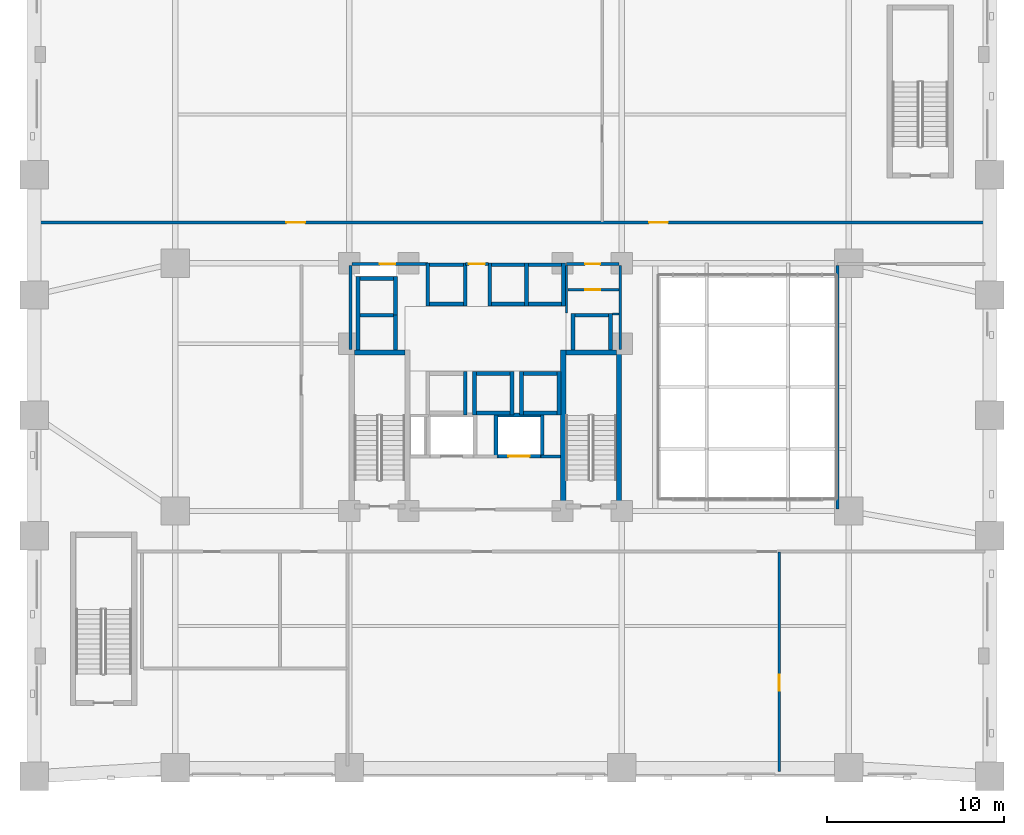
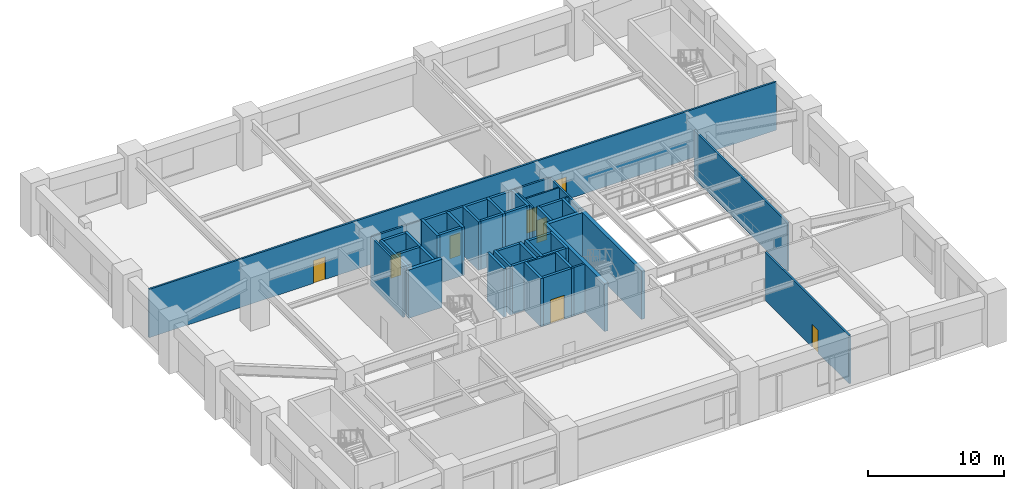
# One storey, part 5 of 11: 48 walls, 8 doors, 8 openings.
"""IFC4 building model written with IfcOpenShell, lengths in metres."""

from ifc_helpers import new_model, si_unit, derived_unit, direction, frame, frame_2d, origin, place, context, subcontext, project, spatial, rectangle, extrude, material, layer, layer_set, type_object, element, fill, save


model = new_model("IFC4")

# Units and contexts
model_context = context("Model", 3, precision=1e-05, world=origin(), true_north=direction((0.0, 1.0)))
body_context = subcontext(model_context, "Body", "Model", "MODEL_VIEW")
ifc_project = project(units=[si_unit("LENGTHUNIT", "METRE"), si_unit("AREAUNIT", "SQUARE_METRE"), si_unit("VOLUMEUNIT", "CUBIC_METRE"), si_unit("PLANEANGLEUNIT", "RADIAN"), si_unit("MASSUNIT", "GRAM", prefix="KILO"), derived_unit("THERMALTRANSMITTANCEUNIT", [(si_unit("MASSUNIT", "GRAM", prefix="KILO"), 1), (si_unit("TIMEUNIT", "SECOND"), -3), (si_unit("THERMODYNAMICTEMPERATUREUNIT", "KELVIN"), -1)])], contexts=[model_context])

# Site, building, storey
site_placement = place(None, origin())
site = spatial("IfcSite", under=ifc_project, at=site_placement, CompositionType="ELEMENT")
building_placement = place(site_placement, origin())
building = spatial("IfcBuilding", under=site, at=building_placement, Name="Korrvale Station Residences", CompositionType="ELEMENT")
storey_placement = place(building_placement, frame((0.0, 0.0, 16.0)))
storey = spatial("IfcBuildingStorey", under=building, at=storey_placement, Name="L03", CompositionType="ELEMENT", Elevation=16.0)

# Walls
ifc_material_1 = material(Name="Concrete C70/85", Category="concrete")
ifc_layer_1 = layer(ifc_material_1, 0.300048828125, Name="Concrete C70/85")
ifc_layer_set_1 = layer_set([ifc_layer_1], Name="Concrete C70/85")
wall_type_1 = type_object("IfcWallType", Name="WAL-CORE-300-C70", PredefinedType="SHEAR", material=ifc_layer_set_1)
wall_1_placement = place(storey_placement, frame((18.10009765625, 23.949951171875, 0.0), z_axis=(0.0, 0.0, 1.0), x_axis=(1.0, 0.0, 0.0)))
element("IfcWall", 1, at=wall_1_placement, inside=storey, type_object=wall_type_1, Name="L03 ST-1 Core Shear Wall North", PredefinedType="SHEAR", context=body_context, shape_type="SweptSolid", body=[
    extrude(rectangle(XDim=2.849853515625, YDim=0.300048828125, at=frame_2d((1.4248046875, 0.0))), origin(), (0.0, 0.0, 1.0), 4.35009765625),
])
for number, where, z_axis, x_axis, name in (
    (2, (29.89990234375, 15.10009765625, 0.0), (0.0, 0.0, 1.0), (0.0, 1.0, 0.0), "L03 ST-2 Core Shear Wall West"),
    (3, (33.050048828125, 15.10009765625, 0.0), (0.0, 0.0, 1.0), (0.0, 1.0, 0.0), "L03 ST-2 Core Shear Wall East"),
):
    element("IfcWall", number, at=place(storey_placement, frame(where, z_axis=z_axis, x_axis=x_axis)), inside=storey, type_object=wall_type_1, Name=name, PredefinedType="SHEAR", context=body_context, shape_type="SweptSolid", body=[
        extrude(rectangle(XDim=9.0, YDim=0.300048828125, at=frame_2d((4.5, 0.0))), origin(), (0.0, 0.0, 1.0), 4.35009765625),
    ])
wall_2_placement = place(storey_placement, frame((30.050048828125, 23.949951171875, 0.0), z_axis=(0.0, 0.0, 1.0), x_axis=(1.0, 0.0, 0.0)))
element("IfcWall", 4, at=wall_2_placement, inside=storey, type_object=wall_type_1, Name="L03 ST-2 Core Shear Wall North", PredefinedType="SHEAR", context=body_context, shape_type="SweptSolid", body=[
    extrude(rectangle(XDim=2.849853515625, YDim=0.300048828125, at=frame_2d((1.4248046875, 0.0))), origin(), (0.0, 0.0, 1.0), 4.35009765625),
])
ifc_material_2 = material(Name="Acoustic steel-stud gypsum board partition", Category="steel")
ifc_layer_2 = layer(ifc_material_2, 0.1201171875, Name="Acoustic steel-stud gypsum board partition")
ifc_layer_set_2 = layer_set([ifc_layer_2], Name="Acoustic steel-stud gypsum board partition")
wall_type_2 = type_object("IfcWallType", Name="WAL-PART-125", PredefinedType="PARTITIONING", material=ifc_layer_set_2)
wall_3_placement = place(storey_placement, frame((30.080078125, 26.179931640625, 0.0), z_axis=(0.0, 0.0, 1.0), x_axis=(0.0, 1.0, 0.0)))
element("IfcWall", 5, at=wall_3_placement, inside=storey, type_object=wall_type_2, Name="L03 Core Partition CW-CS-W", PredefinedType="PARTITIONING", context=body_context, shape_type="SweptSolid", body=[
    extrude(rectangle(XDim=2.68017578125, YDim=0.1201171875, at=frame_2d((1.340087890625, 0.0))), origin(), (0.0, 0.0, 1.0), 4.35009765625),
])
wall_4_placement = place(storey_placement, frame((32.679931640625, 26.1201171875, 0.0), z_axis=(0.0, 0.0, 1.0), x_axis=(1.0, 0.0, 0.0)))
element("IfcWall", 6, at=wall_4_placement, inside=storey, type_object=wall_type_2, Name="L03 Core Partition CW-CS-S", PredefinedType="PARTITIONING", context=body_context, shape_type="SweptSolid", body=[
    extrude(rectangle(XDim=0.380126953125, YDim=0.1201171875, at=frame_2d((0.18994140625, 0.0))), origin(), (0.0, 0.0, 1.0), 4.35009765625),
])

# Wall, opening, door
wall_5_placement = place(storey_placement, frame((30.159912109375, 27.5, 0.0), z_axis=(0.0, 0.0, 1.0), x_axis=(1.0, 0.0, 0.0)))
wall_5 = element("IfcWall", 7, at=wall_5_placement, inside=storey, type_object=wall_type_2, Name="L03 Core Partition CW-CS-H", PredefinedType="PARTITIONING", context=body_context, shape_type="SweptSolid", body=[
    extrude(rectangle(XDim=2.880126953125, YDim=0.1201171875, at=frame_2d((1.43994140625, 0.0))), origin(), (0.0, 0.0, 1.0), 4.35009765625),
])
opening_1_placement = place(wall_5_placement, frame((0.969970703125, 0.0, 0.0)))
opening_1 = element("IfcOpeningElement", 8, at=opening_1_placement, cuts=wall_5, Name="Opening DB-860", PredefinedType="OPENING", context=body_context, shape_type="SweptSolid", body=[
    extrude(rectangle(XDim=0.860107421875, YDim=2.050048828125, at=frame_2d((0.43017578125, 1.02490234375))), frame((0.0, 0.070068359375, 0.0), z_axis=(0.0, -1.0, 0.0), x_axis=(1.0, 0.0, 0.0)), (0.0, 0.0, 1.0), 0.14013671875),
])
ifc_material_3 = material(Name="Moisture-resistant solid-core bathroom door", Category="timber")
door_type_1 = type_object("IfcDoorType", Name="DR-BATH-860", OperationType="NOTDEFINED", PredefinedType="DOOR", material=ifc_material_3)
door_1_placement = place(opening_1_placement, origin())
door_1 = element("IfcDoor", 9, at=door_1_placement, inside=storey, type_object=door_type_1, Name="L03 Mail Sorting Inner Door", OperationType="SINGLE_SWING_RIGHT", OverallHeight=2.050048828125, OverallWidth=0.860107421875, PredefinedType="DOOR", context=body_context, shape_type="SweptSolid", body=[
    extrude(rectangle(XDim=0.860107421875, YDim=2.050048828125, at=frame_2d((0.43017578125, 1.02490234375))), frame((0.0, 0.02490234375, 0.0), z_axis=(0.0, -1.0, 0.0), x_axis=(1.0, 0.0, 0.0)), (0.0, 0.0, 1.0), 0.050048828125),
])
fill(opening_1, door_1)

# Walls
ifc_material_4 = material(Name="Fire-rated twin-stud gypsum and mineral wool shaftwall assembly", Category="gypsum")
ifc_layer_3 = layer(ifc_material_4, 0.159912109375, Name="Fire-rated twin-stud gypsum and mineral wool shaftwall assembly")
ifc_layer_set_3 = layer_set([ifc_layer_3], Name="Fire-rated twin-stud gypsum and mineral wool shaftwall assembly")
wall_type_3 = type_object("IfcWallType", Name="WAL-PART-200", PredefinedType="PARTITIONING", material=ifc_layer_set_3)
wall_6_placement = place(storey_placement, frame((28.64990234375, 18.080078125, 0.0), z_axis=(0.0, 0.0, 1.0), x_axis=(1.0, 0.0, 0.0)))
element("IfcWall", 10, at=wall_6_placement, inside=storey, type_object=wall_type_3, Name="L03 Core Partition CW-FFL-N3", PredefinedType="PARTITIONING", context=body_context, shape_type="SweptSolid", body=[
    extrude(rectangle(XDim=1.10009765625, YDim=0.159912109375, at=frame_2d((0.550048828125, 0.0))), origin(), (0.0, 0.0, 1.0), 4.35009765625),
])
for number, where, z_axis, x_axis, name in (
    (11, (17.8798828125, 24.1201171875, 0.0), (0.0, 0.0, 1.0), (0.0, 1.0, 0.0), "L03 Core Partition CW-W-N"),
    (12, (33.1201171875, 24.1201171875, 0.0), (0.0, 0.0, 1.0), (0.0, 1.0, 0.0), "L03 Core Partition CW-E-N"),
):
    element("IfcWall", number, at=place(storey_placement, frame(where, z_axis=z_axis, x_axis=x_axis)), inside=storey, type_object=wall_type_3, Name=name, PredefinedType="PARTITIONING", context=body_context, shape_type="SweptSolid", body=[
        extrude(rectangle(XDim=4.759765625, YDim=0.159912109375, at=frame_2d((2.3798828125, 0.0))), origin(), (0.0, 0.0, 1.0), 4.35009765625),
    ])

# Wall, opening, door
wall_7_placement = place(storey_placement, frame((24.360107421875, 28.949951171875, 0.0), z_axis=(0.0, 0.0, 1.0), x_axis=(1.0, 0.0, 0.0)))
wall_7 = element("IfcWall", 13, at=wall_7_placement, inside=storey, type_object=wall_type_3, Name="L03 Core Partition CW-LLOB-N", PredefinedType="PARTITIONING", context=body_context, shape_type="SweptSolid", body=[
    extrude(rectangle(XDim=1.31982421875, YDim=0.159912109375, at=frame_2d((0.659912109375, 0.0))), origin(), (0.0, 0.0, 1.0), 4.35009765625),
])
opening_2_placement = place(wall_7_placement, frame((0.2099609375, 0.0, 0.0)))
opening_2 = element("IfcOpeningElement", 14, at=opening_2_placement, cuts=wall_7, Name="Opening DI-900", PredefinedType="OPENING", context=body_context, shape_type="SweptSolid", body=[
    extrude(rectangle(XDim=0.89990234375, YDim=2.050048828125, at=frame_2d((0.449951171875, 1.02490234375))), frame((0.0, 0.08984375, 0.0), z_axis=(0.0, -1.0, 0.0), x_axis=(1.0, 0.0, 0.0)), (0.0, 0.0, 1.0), 0.179931640625),
])
ifc_material_5 = material(Name="Painted solid-core timber interior room door", Category="wood")
door_type_2 = type_object("IfcDoorType", Name="DR-INT-900", OperationType="NOTDEFINED", PredefinedType="DOOR", material=ifc_material_5)
door_2_placement = place(opening_2_placement, origin())
door_2 = element("IfcDoor", 15, at=door_2_placement, inside=storey, type_object=door_type_2, Name="L03 Central Hallway North Passage Door", OperationType="SINGLE_SWING_RIGHT", OverallHeight=2.050048828125, OverallWidth=0.89990234375, PredefinedType="DOOR", context=body_context, shape_type="SweptSolid", body=[
    extrude(rectangle(XDim=0.89990234375, YDim=2.050048828125, at=frame_2d((0.449951171875, 1.02490234375))), frame((0.0, 0.02490234375, 0.0), z_axis=(0.0, -1.0, 0.0), x_axis=(1.0, 0.0, 0.0)), (0.0, 0.0, 1.0), 0.050048828125),
])
fill(opening_2, door_2)

wall_8_placement = place(storey_placement, frame((17.9599609375, 28.949951171875, 0.0), z_axis=(0.0, 0.0, 1.0), x_axis=(1.0, 0.0, 0.0)))
wall_8 = element("IfcWall", 16, at=wall_8_placement, inside=storey, type_object=wall_type_3, Name="L03 Core Partition CW-NW", PredefinedType="PARTITIONING", context=body_context, shape_type="SweptSolid", body=[
    extrude(rectangle(XDim=4.2900390625, YDim=0.159912109375, at=frame_2d((2.14501953125, 0.0))), origin(), (0.0, 0.0, 1.0), 4.35009765625),
])
opening_3_placement = place(wall_8_placement, frame((1.570068359375, 0.0, 0.0)))
opening_3 = element("IfcOpeningElement", 17, at=opening_3_placement, cuts=wall_8, Name="Opening DB-860", PredefinedType="OPENING", context=body_context, shape_type="SweptSolid", body=[
    extrude(rectangle(XDim=0.860107421875, YDim=2.050048828125, at=frame_2d((0.43017578125, 1.02490234375))), frame((0.0, 0.08984375, 0.0), z_axis=(0.0, -1.0, 0.0), x_axis=(1.0, 0.0, 0.0)), (0.0, 0.0, 1.0), 0.179931640625),
])
door_3_placement = place(opening_3_placement, origin())
door_3 = element("IfcDoor", 18, at=door_3_placement, inside=storey, type_object=door_type_1, Name="L03 Electrical Riser Access Door", OperationType="SINGLE_SWING_LEFT", OverallHeight=2.050048828125, OverallWidth=0.860107421875, PredefinedType="DOOR", context=body_context, shape_type="SweptSolid", body=[
    extrude(rectangle(XDim=0.860107421875, YDim=2.050048828125, at=frame_2d((0.43017578125, 1.02490234375))), frame((0.0, 0.02490234375, 0.0), z_axis=(0.0, -1.0, 0.0), x_axis=(1.0, 0.0, 0.0)), (0.0, 0.0, 1.0), 0.050048828125),
])
fill(opening_3, door_3)

wall_9_placement = place(storey_placement, frame((30.080078125, 28.949951171875, 0.0), z_axis=(0.0, 0.0, 1.0), x_axis=(1.0, 0.0, 0.0)))
wall_9 = element("IfcWall", 19, at=wall_9_placement, inside=storey, type_object=wall_type_3, Name="L03 Core Partition CW-CS-N", PredefinedType="PARTITIONING", context=body_context, shape_type="SweptSolid", body=[
    extrude(rectangle(XDim=2.9599609375, YDim=0.159912109375, at=frame_2d((1.47998046875, 0.0))), origin(), (0.0, 0.0, 1.0), 4.35009765625),
])
opening_4_placement = place(wall_9_placement, frame((1.044921875, 0.0, 0.0)))
opening_4 = element("IfcOpeningElement", 20, at=opening_4_placement, cuts=wall_9, Name="Opening DB-860", PredefinedType="OPENING", context=body_context, shape_type="SweptSolid", body=[
    extrude(rectangle(XDim=0.860107421875, YDim=2.050048828125, at=frame_2d((0.43017578125, 1.02490234375))), frame((0.0, 0.08984375, 0.0), z_axis=(0.0, -1.0, 0.0), x_axis=(1.0, 0.0, 0.0)), (0.0, 0.0, 1.0), 0.179931640625),
])
door_4_placement = place(opening_4_placement, origin())
door_4 = element("IfcDoor", 21, at=door_4_placement, inside=storey, type_object=door_type_1, Name="L03 Housekeeping Pantry Door", OperationType="SINGLE_SWING_LEFT", OverallHeight=2.050048828125, OverallWidth=0.860107421875, PredefinedType="DOOR", context=body_context, shape_type="SweptSolid", body=[
    extrude(rectangle(XDim=0.860107421875, YDim=2.050048828125, at=frame_2d((0.43017578125, 1.02490234375))), frame((0.0, 0.02490234375, 0.0), z_axis=(0.0, -1.0, 0.0), x_axis=(1.0, 0.0, 0.0)), (0.0, 0.0, 1.0), 0.050048828125),
])
fill(opening_4, door_4)

# Wall, openings, doors
wall_10_placement = place(storey_placement, frame((0.280029296875, 31.300048828125, 0.0), z_axis=(0.0, 0.0, 1.0), x_axis=(1.0, 0.0, 0.0)))
wall_10 = element("IfcWall", 22, at=wall_10_placement, inside=storey, type_object=wall_type_3, Name="L03 Interior Partition W-PN", PredefinedType="PARTITIONING", context=body_context, shape_type="SweptSolid", body=[
    extrude(rectangle(XDim=53.43994140625, YDim=0.159912109375, at=frame_2d((26.719970703125, 0.0))), origin(), (0.0, 0.0, 1.0), 4.35009765625),
])
opening_5_placement = place(wall_10_placement, frame((13.97509765625, 0.0, 0.0)))
opening_5 = element("IfcOpeningElement", 23, at=opening_5_placement, cuts=wall_10, Name="Opening FD-1050", PredefinedType="OPENING", context=body_context, shape_type="SweptSolid", body=[
    extrude(rectangle(XDim=1.050048828125, YDim=2.050048828125, at=frame_2d((0.52490234375, 1.02490234375))), frame((0.0, 0.08984375, 0.0), z_axis=(0.0, -1.0, 0.0), x_axis=(1.0, 0.0, 0.0)), (0.0, 0.0, 1.0), 0.179931640625),
])
opening_6_placement = place(wall_10_placement, frame((34.47509765625, 0.0, 0.0)))
opening_6 = element("IfcOpeningElement", 24, at=opening_6_placement, cuts=wall_10, Name="Opening FD-1050", PredefinedType="OPENING", context=body_context, shape_type="SweptSolid", body=[
    extrude(rectangle(XDim=1.050048828125, YDim=2.050048828125, at=frame_2d((0.52490234375, 1.02490234375))), frame((0.0, 0.08984375, 0.0), z_axis=(0.0, -1.0, 0.0), x_axis=(1.0, 0.0, 0.0)), (0.0, 0.0, 1.0), 0.179931640625),
])
ifc_material_6 = material(Name="Fire-rated mineral-core timber lobby door", Category="wood")
door_type_3 = type_object("IfcDoorType", Name="DR-CORE-1050", OperationType="NOTDEFINED", PredefinedType="DOOR", material=ifc_material_6)
door_5_placement = place(opening_5_placement, origin())
door_5 = element("IfcDoor", 25, at=door_5_placement, inside=storey, type_object=door_type_3, Name="L03 North Suite Entry Door 1", OperationType="SINGLE_SWING_RIGHT", OverallHeight=2.050048828125, OverallWidth=1.050048828125, PredefinedType="DOOR", context=body_context, shape_type="SweptSolid", body=[
    extrude(rectangle(XDim=1.050048828125, YDim=2.050048828125, at=frame_2d((0.52490234375, 1.02490234375))), frame((0.0, 0.02490234375, 0.0), z_axis=(0.0, -1.0, 0.0), x_axis=(1.0, 0.0, 0.0)), (0.0, 0.0, 1.0), 0.050048828125),
])
fill(opening_5, door_5)
door_6_placement = place(opening_6_placement, origin())
door_6 = element("IfcDoor", 26, at=door_6_placement, inside=storey, type_object=door_type_3, Name="L03 North Suite Entry Door 2", OperationType="SINGLE_SWING_LEFT", OverallHeight=2.050048828125, OverallWidth=1.050048828125, PredefinedType="DOOR", context=body_context, shape_type="SweptSolid", body=[
    extrude(rectangle(XDim=1.050048828125, YDim=2.050048828125, at=frame_2d((0.52490234375, 1.02490234375))), frame((0.0, 0.02490234375, 0.0), z_axis=(0.0, -1.0, 0.0), x_axis=(1.0, 0.0, 0.0)), (0.0, 0.0, 1.0), 0.050048828125),
])
fill(opening_6, door_6)

# Wall
wall_11_placement = place(storey_placement, frame((45.39990234375, 15.10009765625, 0.0), z_axis=(0.0, 0.0, 1.0), x_axis=(0.0, 1.0, 0.0)))
element("IfcWall", 27, at=wall_11_placement, inside=storey, type_object=wall_type_3, Name="L03 Interior Partition W-PE-W", PredefinedType="PARTITIONING", context=body_context, shape_type="SweptSolid", body=[
    extrude(rectangle(XDim=13.77978515625, YDim=0.159912109375, at=frame_2d((6.889892578125, 0.0))), origin(), (0.0, 0.0, 1.0), 4.35009765625),
])

# Wall, opening, door
wall_12_placement = place(storey_placement, frame((42.10009765625, 0.280029296875, 0.0), z_axis=(0.0, 0.0, 1.0), x_axis=(0.0, 1.0, 0.0)))
wall_12 = element("IfcWall", 28, at=wall_12_placement, inside=storey, type_object=wall_type_3, Name="L03 Interior Partition W-D2", PredefinedType="PARTITIONING", context=body_context, shape_type="SweptSolid", body=[
    extrude(rectangle(XDim=12.39990234375, YDim=0.159912109375, at=frame_2d((6.199951171875, 0.0))), origin(), (0.0, 0.0, 1.0), 4.35009765625),
])
opening_7_placement = place(wall_12_placement, frame((4.550048828125, 0.0, 0.0)))
opening_7 = element("IfcOpeningElement", 29, at=opening_7_placement, cuts=wall_12, Name="Opening DI-900", PredefinedType="OPENING", context=body_context, shape_type="SweptSolid", body=[
    extrude(rectangle(XDim=0.89990234375, YDim=2.050048828125, at=frame_2d((0.449951171875, 1.02490234375))), frame((0.0, 0.08984375, 0.0), z_axis=(0.0, -1.0, 0.0), x_axis=(1.0, 0.0, 0.0)), (0.0, 0.0, 1.0), 0.179931640625),
])
door_7_placement = place(opening_7_placement, origin())
door_7 = element("IfcDoor", 30, at=door_7_placement, inside=storey, type_object=door_type_2, Name="L03 Pilates Studio Door", OperationType="SINGLE_SWING_LEFT", OverallHeight=2.050048828125, OverallWidth=0.89990234375, PredefinedType="DOOR", context=body_context, shape_type="SweptSolid", body=[
    extrude(rectangle(XDim=0.89990234375, YDim=2.050048828125, at=frame_2d((0.449951171875, 1.02490234375))), frame((0.0, 0.02490234375, 0.0), z_axis=(0.0, -1.0, 0.0), x_axis=(1.0, 0.0, 0.0)), (0.0, 0.0, 1.0), 0.050048828125),
])
fill(opening_7, door_7)

# Walls
ifc_layer_4 = layer(ifc_material_1, 0.219970703125, Name="Concrete C70/85")
ifc_layer_set_4 = layer_set([ifc_layer_4], Name="Concrete C70/85")
wall_type_4 = type_object("IfcWallType", Name="WAL-SHAFT-220-C70", PredefinedType="SHEAR", material=ifc_layer_set_4)
for number, where, z_axis, x_axis, name in (
    (31, (22.35009765625, 26.68994140625, 0.0), (0.0, 0.0, 1.0), (1.0, 0.0, 0.0), "L03 Elevator PL-1 Hoistway Wall South"),
    (32, (22.35009765625, 28.909912109375, 0.0), (0.0, 0.0, 1.0), (1.0, 0.0, 0.0), "L03 Elevator PL-1 Hoistway Wall North"),
):
    element("IfcWall", number, at=place(storey_placement, frame(where, z_axis=z_axis, x_axis=x_axis)), inside=storey, type_object=wall_type_4, Name=name, PredefinedType="SHEAR", context=body_context, shape_type="SweptSolid", body=[
        extrude(rectangle(XDim=1.89990234375, YDim=0.219970703125, at=frame_2d((0.949951171875, 0.0))), origin(), (0.0, 0.0, 1.0), 4.35009765625),
    ])
for number, where, z_axis, x_axis, name in (
    (33, (22.239990234375, 26.580078125, 0.0), (0.0, 0.0, 1.0), (0.0, 1.0, 0.0), "L03 Elevator PL-1 Hoistway Wall West"),
    (34, (24.360107421875, 26.580078125, 0.0), (0.0, 0.0, 1.0), (0.0, 1.0, 0.0), "L03 Elevator PL-1 Hoistway Wall East"),
):
    element("IfcWall", number, at=place(storey_placement, frame(where, z_axis=z_axis, x_axis=x_axis)), inside=storey, type_object=wall_type_4, Name=name, PredefinedType="SHEAR", context=body_context, shape_type="SweptSolid", body=[
        extrude(rectangle(XDim=2.43994140625, YDim=0.219970703125, at=frame_2d((1.219970703125, 0.0))), origin(), (0.0, 0.0, 1.0), 4.35009765625),
    ])
for number, where, z_axis, x_axis, name in (
    (35, (25.85009765625, 26.68994140625, 0.0), (0.0, 0.0, 1.0), (1.0, 0.0, 0.0), "L03 Elevator PL-2 Hoistway Wall South"),
    (36, (25.85009765625, 28.909912109375, 0.0), (0.0, 0.0, 1.0), (1.0, 0.0, 0.0), "L03 Elevator PL-2 Hoistway Wall North"),
):
    element("IfcWall", number, at=place(storey_placement, frame(where, z_axis=z_axis, x_axis=x_axis)), inside=storey, type_object=wall_type_4, Name=name, PredefinedType="SHEAR", context=body_context, shape_type="SweptSolid", body=[
        extrude(rectangle(XDim=1.85986328125, YDim=0.219970703125, at=frame_2d((0.929931640625, 0.0))), origin(), (0.0, 0.0, 1.0), 4.35009765625),
    ])
for number, where, z_axis, x_axis, name in (
    (37, (25.739990234375, 26.580078125, 0.0), (0.0, 0.0, 1.0), (0.0, 1.0, 0.0), "L03 Elevator PL-2 Hoistway Wall West"),
    (38, (27.820068359375, 26.580078125, 0.0), (0.0, 0.0, 1.0), (0.0, 1.0, 0.0), "L03 Elevator PL-2 Hoistway Wall East"),
):
    element("IfcWall", number, at=place(storey_placement, frame(where, z_axis=z_axis, x_axis=x_axis)), inside=storey, type_object=wall_type_4, Name=name, PredefinedType="SHEAR", context=body_context, shape_type="SweptSolid", body=[
        extrude(rectangle(XDim=2.43994140625, YDim=0.219970703125, at=frame_2d((1.219970703125, 0.0))), origin(), (0.0, 0.0, 1.0), 4.35009765625),
    ])
for number, where, z_axis, x_axis, name in (
    (39, (27.929931640625, 26.68994140625, 0.0), (0.0, 0.0, 1.0), (1.0, 0.0, 0.0), "L03 Elevator PL-3 Hoistway Wall South"),
    (40, (27.929931640625, 28.909912109375, 0.0), (0.0, 0.0, 1.0), (1.0, 0.0, 0.0), "L03 Elevator PL-3 Hoistway Wall North"),
):
    element("IfcWall", number, at=place(storey_placement, frame(where, z_axis=z_axis, x_axis=x_axis)), inside=storey, type_object=wall_type_4, Name=name, PredefinedType="SHEAR", context=body_context, shape_type="SweptSolid", body=[
        extrude(rectangle(XDim=1.860107421875, YDim=0.219970703125, at=frame_2d((0.93017578125, 0.0))), origin(), (0.0, 0.0, 1.0), 4.35009765625),
    ])
wall_13_placement = place(storey_placement, frame((29.89990234375, 26.580078125, 0.0), z_axis=(0.0, 0.0, 1.0), x_axis=(0.0, 1.0, 0.0)))
element("IfcWall", 41, at=wall_13_placement, inside=storey, type_object=wall_type_4, Name="L03 Elevator PL-3 Hoistway Wall East", PredefinedType="SHEAR", context=body_context, shape_type="SweptSolid", body=[
    extrude(rectangle(XDim=2.43994140625, YDim=0.219970703125, at=frame_2d((1.219970703125, 0.0))), origin(), (0.0, 0.0, 1.0), 4.35009765625),
])
wall_14_placement = place(storey_placement, frame((24.360107421875, 20.429931640625, 0.0), z_axis=(0.0, 0.0, 1.0), x_axis=(0.0, 1.0, 0.0)))
element("IfcWall", 42, at=wall_14_placement, inside=storey, type_object=wall_type_4, Name="L03 Elevator PM-1 Hoistway Wall East", PredefinedType="SHEAR", context=body_context, shape_type="SweptSolid", body=[
    extrude(rectangle(XDim=2.440185546875, YDim=0.219970703125, at=frame_2d((1.22021484375, 0.0))), origin(), (0.0, 0.0, 1.0), 4.35009765625),
])
for number, where, z_axis, x_axis, name in (
    (43, (25.0, 20.5400390625, 0.0), (0.0, 0.0, 1.0), (1.0, 0.0, 0.0), "L03 Elevator PM-2 Hoistway Wall South"),
    (44, (25.0, 22.760009765625, 0.0), (0.0, 0.0, 1.0), (1.0, 0.0, 0.0), "L03 Elevator PM-2 Hoistway Wall North"),
):
    element("IfcWall", number, at=place(storey_placement, frame(where, z_axis=z_axis, x_axis=x_axis)), inside=storey, type_object=wall_type_4, Name=name, PredefinedType="SHEAR", context=body_context, shape_type="SweptSolid", body=[
        extrude(rectangle(XDim=1.89990234375, YDim=0.219970703125, at=frame_2d((0.949951171875, 0.0))), origin(), (0.0, 0.0, 1.0), 4.35009765625),
    ])
for number, where, z_axis, x_axis, name in (
    (45, (24.889892578125, 20.429931640625, 0.0), (0.0, 0.0, 1.0), (0.0, 1.0, 0.0), "L03 Elevator PM-2 Hoistway Wall West"),
    (46, (27.010009765625, 20.429931640625, 0.0), (0.0, 0.0, 1.0), (0.0, 1.0, 0.0), "L03 Elevator PM-2 Hoistway Wall East"),
):
    element("IfcWall", number, at=place(storey_placement, frame(where, z_axis=z_axis, x_axis=x_axis)), inside=storey, type_object=wall_type_4, Name=name, PredefinedType="SHEAR", context=body_context, shape_type="SweptSolid", body=[
        extrude(rectangle(XDim=2.440185546875, YDim=0.219970703125, at=frame_2d((1.22021484375, 0.0))), origin(), (0.0, 0.0, 1.0), 4.35009765625),
    ])
for number, where, z_axis, x_axis, name in (
    (47, (27.64990234375, 20.5400390625, 0.0), (0.0, 0.0, 1.0), (1.0, 0.0, 0.0), "L03 Elevator PM-3 Hoistway Wall South"),
    (48, (27.64990234375, 22.760009765625, 0.0), (0.0, 0.0, 1.0), (1.0, 0.0, 0.0), "L03 Elevator PM-3 Hoistway Wall North"),
):
    element("IfcWall", number, at=place(storey_placement, frame(where, z_axis=z_axis, x_axis=x_axis)), inside=storey, type_object=wall_type_4, Name=name, PredefinedType="SHEAR", context=body_context, shape_type="SweptSolid", body=[
        extrude(rectangle(XDim=1.900146484375, YDim=0.219970703125, at=frame_2d((0.9501953125, 0.0))), origin(), (0.0, 0.0, 1.0), 4.35009765625),
    ])
for number, where, z_axis, x_axis, name in (
    (49, (27.5400390625, 20.429931640625, 0.0), (0.0, 0.0, 1.0), (0.0, 1.0, 0.0), "L03 Elevator PM-3 Hoistway Wall West"),
    (50, (29.659912109375, 20.429931640625, 0.0), (0.0, 0.0, 1.0), (0.0, 1.0, 0.0), "L03 Elevator PM-3 Hoistway Wall East"),
):
    element("IfcWall", number, at=place(storey_placement, frame(where, z_axis=z_axis, x_axis=x_axis)), inside=storey, type_object=wall_type_4, Name=name, PredefinedType="SHEAR", context=body_context, shape_type="SweptSolid", body=[
        extrude(rectangle(XDim=2.440185546875, YDim=0.219970703125, at=frame_2d((1.22021484375, 0.0))), origin(), (0.0, 0.0, 1.0), 4.35009765625),
    ])
wall_15_placement = place(storey_placement, frame((18.2900390625, 24.10009765625, 0.0), z_axis=(0.0, 0.0, 1.0), x_axis=(0.0, 1.0, 0.0)))
element("IfcWall", 51, at=wall_15_placement, inside=storey, type_object=wall_type_4, Name="L03 Elevator PH-1 Hoistway Wall West", PredefinedType="SHEAR", context=body_context, shape_type="SweptSolid", body=[
    extrude(rectangle(XDim=4.139892578125, YDim=0.219970703125, at=frame_2d((2.06982421875, 0.0))), origin(), (0.0, 0.0, 1.0), 4.35009765625),
])
wall_16_placement = place(storey_placement, frame((20.409912109375, 24.10009765625, 0.0), z_axis=(0.0, 0.0, 1.0), x_axis=(0.0, 1.0, 0.0)))
element("IfcWall", 52, at=wall_16_placement, inside=storey, type_object=wall_type_4, Name="L03 Elevator PH-1 Hoistway Wall East", PredefinedType="SHEAR", context=body_context, shape_type="SweptSolid", body=[
    extrude(rectangle(XDim=1.9599609375, YDim=0.219970703125, at=frame_2d((0.97998046875, 0.0))), origin(), (0.0, 0.0, 1.0), 4.35009765625),
])
for number, where, z_axis, x_axis, name in (
    (53, (18.39990234375, 26.06005859375, 0.0), (0.0, 0.0, 1.0), (1.0, 0.0, 0.0), "L03 Elevator PH-2 Hoistway Wall South"),
    (54, (18.39990234375, 28.1298828125, 0.0), (0.0, 0.0, 1.0), (1.0, 0.0, 0.0), "L03 Elevator PH-2 Hoistway Wall North"),
):
    element("IfcWall", number, at=place(storey_placement, frame(where, z_axis=z_axis, x_axis=x_axis)), inside=storey, type_object=wall_type_4, Name=name, PredefinedType="SHEAR", context=body_context, shape_type="SweptSolid", body=[
        extrude(rectangle(XDim=1.900146484375, YDim=0.219970703125, at=frame_2d((0.9501953125, 0.0))), origin(), (0.0, 0.0, 1.0), 4.35009765625),
    ])
wall_17_placement = place(storey_placement, frame((20.409912109375, 26.06005859375, 0.0), z_axis=(0.0, 0.0, 1.0), x_axis=(0.0, 1.0, 0.0)))
element("IfcWall", 55, at=wall_17_placement, inside=storey, type_object=wall_type_4, Name="L03 Elevator PH-2 Hoistway Wall East", PredefinedType="SHEAR", context=body_context, shape_type="SweptSolid", body=[
    extrude(rectangle(XDim=2.179931640625, YDim=0.219970703125, at=frame_2d((1.08984375, 0.0))), origin(), (0.0, 0.0, 1.0), 4.35009765625),
])
wall_18_placement = place(storey_placement, frame((30.550048828125, 26.06005859375, 0.0), z_axis=(0.0, 0.0, 1.0), x_axis=(1.0, 0.0, 0.0)))
element("IfcWall", 56, at=wall_18_placement, inside=storey, type_object=wall_type_4, Name="L03 Elevator PH-3 Hoistway Wall North", PredefinedType="SHEAR", context=body_context, shape_type="SweptSolid", body=[
    extrude(rectangle(XDim=1.89990234375, YDim=0.219970703125, at=frame_2d((0.949951171875, 0.0))), origin(), (0.0, 0.0, 1.0), 4.35009765625),
])
for number, where, z_axis, x_axis, name in (
    (57, (30.43994140625, 24.10009765625, 0.0), (0.0, 0.0, 1.0), (0.0, 1.0, 0.0), "L03 Elevator PH-3 Hoistway Wall West"),
    (58, (32.56005859375, 24.10009765625, 0.0), (0.0, 0.0, 1.0), (0.0, 1.0, 0.0), "L03 Elevator PH-3 Hoistway Wall East"),
):
    element("IfcWall", number, at=place(storey_placement, frame(where, z_axis=z_axis, x_axis=x_axis)), inside=storey, type_object=wall_type_4, Name=name, PredefinedType="SHEAR", context=body_context, shape_type="SweptSolid", body=[
        extrude(rectangle(XDim=2.06982421875, YDim=0.219970703125, at=frame_2d((1.034912109375, 0.0))), origin(), (0.0, 0.0, 1.0), 4.35009765625),
    ])

# Wall, opening, door
wall_19_placement = place(storey_placement, frame((26.199951171875, 18.090087890625, 0.0), z_axis=(0.0, 0.0, 1.0), x_axis=(1.0, 0.0, 0.0)))
wall_19 = element("IfcWall", 59, at=wall_19_placement, inside=storey, type_object=wall_type_4, Name="L03 Elevator FFL-2 Hoistway Wall South", PredefinedType="SHEAR", context=body_context, shape_type="SweptSolid", body=[
    extrude(rectangle(XDim=2.400146484375, YDim=0.219970703125, at=frame_2d((1.2001953125, 0.0))), origin(), (0.0, 0.0, 1.0), 4.35009765625),
])
opening_8_placement = place(wall_19_placement, frame((0.60009765625, 0.0, 0.0)))
opening_8 = element("IfcOpeningElement", 60, at=opening_8_placement, cuts=wall_19, Name="Opening LD-FF1200", PredefinedType="OPENING", context=body_context, shape_type="SweptSolid", body=[
    extrude(rectangle(XDim=1.199951171875, YDim=2.14990234375, at=frame_2d((0.60009765625, 1.074951171875))), frame((0.0, 0.1201171875, 0.0), z_axis=(0.0, -1.0, 0.0), x_axis=(1.0, 0.0, 0.0)), (0.0, 0.0, 1.0), 0.239990234375),
])
ifc_material_7 = material(Name="Stainless-steel firefighter elevator landing sliding door", Category="steel")
door_type_4 = type_object("IfcDoorType", Name="DR-LIFT-FF1200", OperationType="SLIDING_TO_LEFT", PredefinedType="DOOR", material=ifc_material_7)
door_8_placement = place(opening_8_placement, origin())
door_8 = element("IfcDoor", 61, at=door_8_placement, inside=storey, type_object=door_type_4, Name="L03 Elevator FFL-2 Sliding Landing Door", OperationType="SLIDING_TO_LEFT", OverallHeight=2.14990234375, OverallWidth=1.199951171875, PredefinedType="DOOR", context=body_context, shape_type="SweptSolid", body=[
    extrude(rectangle(XDim=1.199951171875, YDim=2.14990234375, at=frame_2d((0.60009765625, 1.074951171875))), frame((0.0, 0.02490234375, 0.0), z_axis=(0.0, -1.0, 0.0), x_axis=(1.0, 0.0, 0.0)), (0.0, 0.0, 1.0), 0.050048828125),
])
fill(opening_8, door_8)

# Walls
wall_20_placement = place(storey_placement, frame((26.199951171875, 20.409912109375, 0.0), z_axis=(0.0, 0.0, 1.0), x_axis=(1.0, 0.0, 0.0)))
element("IfcWall", 62, at=wall_20_placement, inside=storey, type_object=wall_type_4, Name="L03 Elevator FFL-2 Hoistway Wall North", PredefinedType="SHEAR", context=body_context, shape_type="SweptSolid", body=[
    extrude(rectangle(XDim=2.400146484375, YDim=0.219970703125, at=frame_2d((1.2001953125, 0.0))), origin(), (0.0, 0.0, 1.0), 4.35009765625),
])
for number, where, z_axis, x_axis, name in (
    (63, (26.090087890625, 17.97998046875, 0.0), (0.0, 0.0, 1.0), (0.0, 1.0, 0.0), "L03 Elevator FFL-2 Hoistway Wall West"),
    (64, (28.7099609375, 17.97998046875, 0.0), (0.0, 0.0, 1.0), (0.0, 1.0, 0.0), "L03 Elevator FFL-2 Hoistway Wall East"),
):
    element("IfcWall", number, at=place(storey_placement, frame(where, z_axis=z_axis, x_axis=x_axis)), inside=storey, type_object=wall_type_4, Name=name, PredefinedType="SHEAR", context=body_context, shape_type="SweptSolid", body=[
        extrude(rectangle(XDim=2.5400390625, YDim=0.219970703125, at=frame_2d((1.27001953125, 0.0))), origin(), (0.0, 0.0, 1.0), 4.35009765625),
    ])

save(model, "model.ifc")
